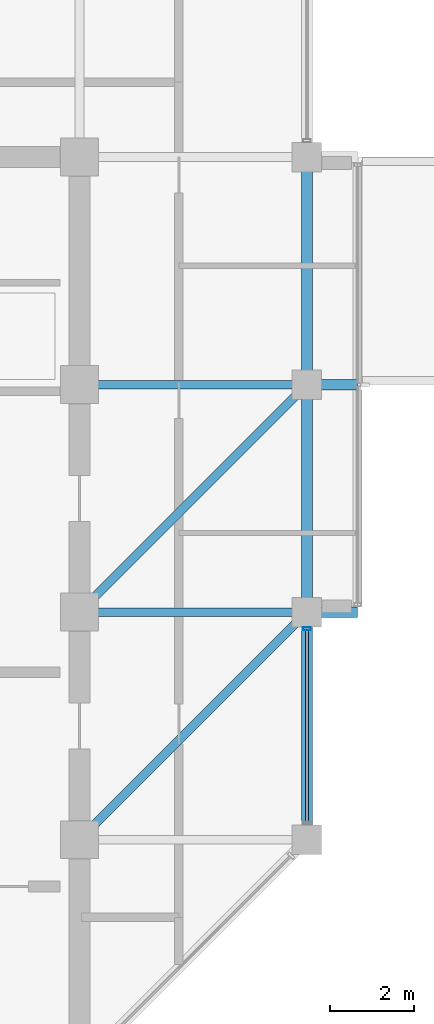
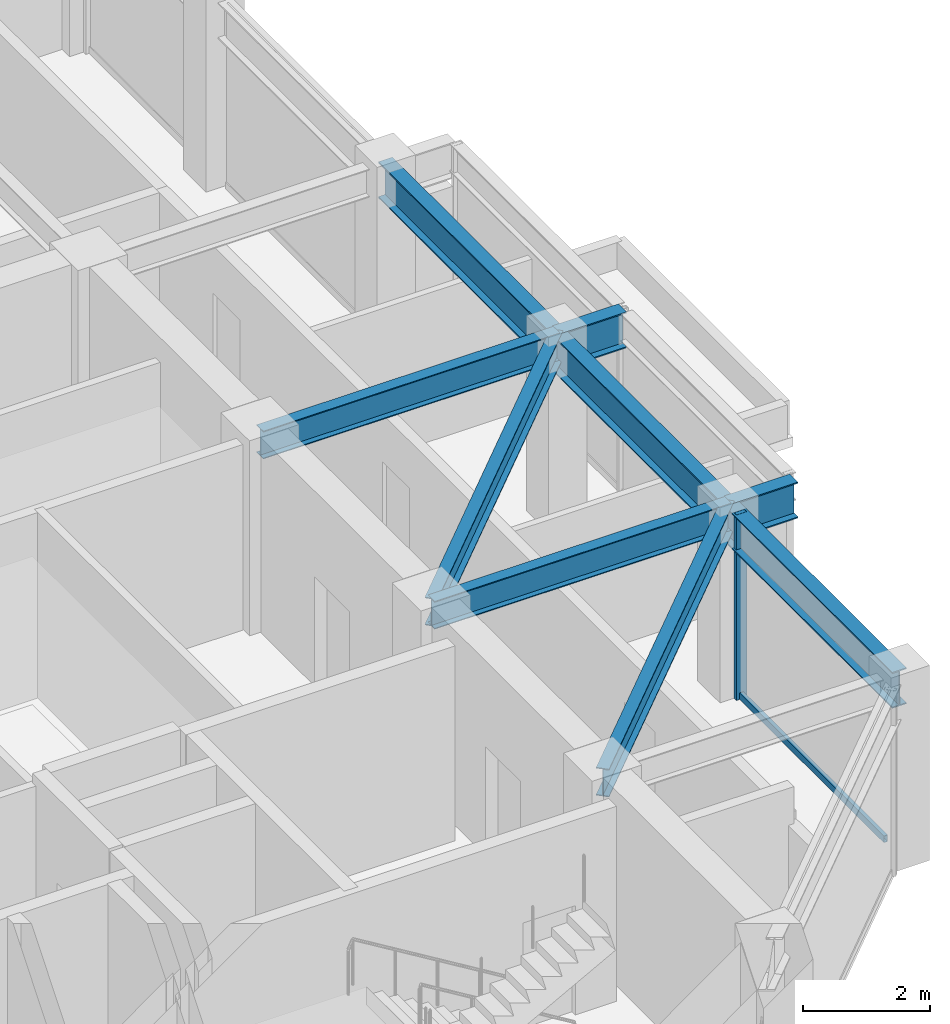
# One storey, part 10 of 31: 9 beams, 2 members, 1 element without a shape of its own.
"""IFC4 building model written with IfcOpenShell, lengths in metres."""

from ifc_helpers import new_model, si_unit, direction, frame, origin, origin_2d, place, context, subcontext, project, spatial, hollow_rectangle, i_section, extrude, material, layer, layer_set, material_profile, profile_set, type_object, element, aggregate, save


model = new_model("IFC4")

# Units and contexts
model_context = context("Model", 3, precision=1e-05, world=origin(), true_north=direction((0.0, 1.0)))
body_context = subcontext(model_context, "Body", "Model", "MODEL_VIEW")
ifc_project = project(units=[si_unit("LENGTHUNIT", "METRE"), si_unit("AREAUNIT", "SQUARE_METRE"), si_unit("VOLUMEUNIT", "CUBIC_METRE"), si_unit("PLANEANGLEUNIT", "RADIAN"), si_unit("MASSUNIT", "GRAM", prefix="KILO")], contexts=[model_context])

# Site, building, storey
site_placement = place(None, origin())
site = spatial("IfcSite", under=ifc_project, at=site_placement, CompositionType="ELEMENT")
building_placement = place(site_placement, origin())
building = spatial("IfcBuilding", under=site, at=building_placement, Name="Surkhivell Harbour Commons", CompositionType="ELEMENT")
storey_placement = place(building_placement, frame((0.0, 0.0, 270.0)))
storey = spatial("IfcBuildingStorey", under=building, at=storey_placement, Name="L70", CompositionType="ELEMENT", Elevation=270.0)

# Beams
ifc_material_1 = material(Name="Steel S460", Category="steel")
ifc_material_profile_1 = material_profile(ifc_material_1, i_section(OverallWidth=0.256103515625, OverallDepth=0.693115234375, WebThickness=0.014404296875, FlangeThickness=0.023681640625, at=origin_2d()), Name="UB686x254x170")
ifc_profile_set_1 = profile_set([ifc_material_profile_1], Name="Steel S460")
beam_type_1 = type_object("IfcBeamType", Name="BM-CNT-686", PredefinedType="BEAM", material=ifc_profile_set_1)
for number, where, z_axis, x_axis, name in (
    (1, (16.199951171875, 0.0, 3.223388671875), (1.0, 0.0, 0.0), (0.0, 1.0, 0.0), "L70 Box Cantilever Outrigger (16.2,0.0)"),
    (2, (16.199951171875, 5.39990234375, 3.223388671875), (1.0, 0.0, 0.0), (0.0, 1.0, 0.0), "L70 Box Cantilever Outrigger (16.2,5.4)"),
):
    element("IfcBeam", number, at=place(storey_placement, frame(where, z_axis=z_axis, x_axis=x_axis)), inside=storey, type_object=beam_type_1, Name=name, PredefinedType="BEAM", context=body_context, shape_type="SweptSolid", body=[
        extrude(i_section(OverallWidth=0.256103515625, OverallDepth=0.693115234375, WebThickness=0.014404296875, FlangeThickness=0.023681640625, at=origin_2d()), origin(), (0.0, 0.0, 1.0), 1.199951171875),
    ])
ifc_material_2 = material(Name="Steel S355", Category="steel")
ifc_material_profile_2 = material_profile(ifc_material_2, i_section(OverallWidth=0.2099609375, OverallDepth=0.537109375, WebThickness=0.0107421875, FlangeThickness=0.017333984375, at=origin_2d()), Name="UB533x210x101")
ifc_profile_set_2 = profile_set([ifc_material_profile_2], Name="Steel S355")
beam_type_2 = type_object("IfcBeamType", Name="BM-GRD-533B", PredefinedType="BEAM", material=ifc_profile_set_2)
beam_1_placement = place(storey_placement, frame((10.800048828125, -5.39990234375, 3.301513671875), z_axis=(0.707106781187, 0.707106781187, 0.0), x_axis=(-0.707106781187, 0.707106781187, 0.0)))
element("IfcBeam", 3, at=beam_1_placement, inside=storey, type_object=beam_type_2, Name="L70 Floor Girder (10.8,-5.4)", PredefinedType="BEAM", context=body_context, shape_type="SweptSolid", body=[
    extrude(i_section(OverallWidth=0.2099609375, OverallDepth=0.537109375, WebThickness=0.0107421875, FlangeThickness=0.017333984375, at=origin_2d()), origin(), (0.0, 0.0, 1.0), 7.63671875),
])
beam_2_placement = place(storey_placement, frame((10.800048828125, 0.0, 3.301513671875), z_axis=(1.0, 0.0, 0.0), x_axis=(0.0, 1.0, 0.0)))
element("IfcBeam", 4, at=beam_2_placement, inside=storey, type_object=beam_type_2, Name="L70 Floor Girder (10.8,0.0)", PredefinedType="BEAM", context=body_context, shape_type="SweptSolid", body=[
    extrude(i_section(OverallWidth=0.2099609375, OverallDepth=0.537109375, WebThickness=0.0107421875, FlangeThickness=0.017333984375, at=origin_2d()), origin(), (0.0, 0.0, 1.0), 5.39990234375),
])
beam_3_placement = place(storey_placement, frame((10.800048828125, 0.0, 3.301513671875), z_axis=(0.707106781187, 0.707106781187, 0.0), x_axis=(-0.707106781187, 0.707106781187, 0.0)))
element("IfcBeam", 5, at=beam_3_placement, inside=storey, type_object=beam_type_2, Name="L70 Floor Girder (10.8,0.0)", PredefinedType="BEAM", context=body_context, shape_type="SweptSolid", body=[
    extrude(i_section(OverallWidth=0.2099609375, OverallDepth=0.537109375, WebThickness=0.0107421875, FlangeThickness=0.017333984375, at=origin_2d()), origin(), (0.0, 0.0, 1.0), 7.63671875),
])
beam_4_placement = place(storey_placement, frame((10.800048828125, 5.39990234375, 3.301513671875), z_axis=(1.0, 0.0, 0.0), x_axis=(0.0, 1.0, 0.0)))
element("IfcBeam", 6, at=beam_4_placement, inside=storey, type_object=beam_type_2, Name="L70 Floor Girder (10.8,5.4)", PredefinedType="BEAM", context=body_context, shape_type="SweptSolid", body=[
    extrude(i_section(OverallWidth=0.2099609375, OverallDepth=0.537109375, WebThickness=0.0107421875, FlangeThickness=0.017333984375, at=origin_2d()), origin(), (0.0, 0.0, 1.0), 5.39990234375),
])
ifc_material_profile_3 = material_profile(ifc_material_2, i_section(OverallWidth=0.256103515625, OverallDepth=0.693115234375, WebThickness=0.014404296875, FlangeThickness=0.023681640625, at=origin_2d()), Name="UB686x254x170")
ifc_profile_set_3 = profile_set([ifc_material_profile_3], Name="Steel S355")
beam_type_3 = type_object("IfcBeamType", Name="BM-SPN-686", PredefinedType="SPANDREL", material=ifc_profile_set_3)
for number, where, z_axis, x_axis, name in (
    (7, (16.199951171875, -5.39990234375, 3.223388671875), (0.0, 1.0, 0.0), (-1.0, 0.0, 0.0), "L70 Tube Spandrel (16.2,-5.4)"),
    (8, (16.199951171875, 0.0, 3.223388671875), (0.0, 1.0, 0.0), (-1.0, 0.0, 0.0), "L70 Tube Spandrel (16.2,0.0)"),
):
    element("IfcBeam", number, at=place(storey_placement, frame(where, z_axis=z_axis, x_axis=x_axis)), inside=storey, type_object=beam_type_3, Name=name, PredefinedType="SPANDREL", context=body_context, shape_type="SweptSolid", body=[
        extrude(i_section(OverallWidth=0.256103515625, OverallDepth=0.693115234375, WebThickness=0.014404296875, FlangeThickness=0.023681640625, at=origin_2d()), origin(), (0.0, 0.0, 1.0), 5.39990234375),
    ])
beam_5_placement = place(storey_placement, frame((16.199951171875, 5.39990234375, 3.223388671875), z_axis=(0.0, 1.0, 0.0), x_axis=(-1.0, 0.0, 0.0)))
element("IfcBeam", 9, at=beam_5_placement, inside=storey, type_object=beam_type_3, Name="L70 Tube Spandrel (16.2,5.4)", PredefinedType="SPANDREL", context=body_context, shape_type="SweptSolid", body=[
    extrude(i_section(OverallWidth=0.256103515625, OverallDepth=0.693115234375, WebThickness=0.014404296875, FlangeThickness=0.023681640625, at=origin_2d()), origin(), (0.0, 0.0, 1.0), 5.400146484375),
])

# Curtain wall, members
ifc_material_3 = material(Name="Anodised pale-metal aluminium and insulated glazing", Category="aluminium")
ifc_layer = layer(ifc_material_3, 0.175048828125)
ifc_layer_set = layer_set([ifc_layer], Name="Anodised pale-metal aluminium and insulated glazing")
curtain_wall_type = type_object("IfcCurtainWallType", Name="CW-SYS-Z4", PredefinedType="NOTDEFINED", material=ifc_layer_set)
curtain_wall_placement = place(storey_placement, origin())
curtain_wall = element("IfcCurtainWall", 10, at=curtain_wall_placement, inside=storey, type_object=curtain_wall_type, Name="L70 Curtain Wall CW-L70-E02R1", PredefinedType="NOTDEFINED")
ifc_material_4 = material(Name="Anodised pale-metal aluminium alloy 6063-T6", Category="aluminium")
ifc_material_profile_4 = material_profile(ifc_material_4, hollow_rectangle(XDim=0.074951171875, YDim=0.18994140625, WallThickness=0.00390625, at=origin_2d()), Name="ALU-MULL-75x190")
ifc_profile_set_4 = profile_set([ifc_material_profile_4], Name="Anodised pale-metal aluminium alloy 6063-T6")
member_type_1 = type_object("IfcMemberType", Name="CWM-190", PredefinedType="MULLION", material=ifc_profile_set_4)
member_1_placement = place(storey_placement, frame((16.199951171875, -0.389404296875, 0.0), z_axis=(0.0, 0.0, 1.0), x_axis=(0.0, 1.0, 0.0)))
member_1 = element("IfcMember", 11, at=member_1_placement, type_object=member_type_1, Name="CW-Z4 mullion 2", PredefinedType="MULLION", context=body_context, shape_type="SweptSolid", body=[
    extrude(hollow_rectangle(XDim=0.074951171875, YDim=0.18994140625, WallThickness=0.00390625, at=origin_2d()), origin(), (0.0, 0.0, 1.0), 3.570068359375),
])
ifc_material_5 = material(Name="Champagne anodised aluminium alloy 6063-T6", Category="aluminium")
ifc_material_profile_5 = material_profile(ifc_material_5, hollow_rectangle(XDim=0.070068359375, YDim=0.1298828125, WallThickness=0.00341796875, at=origin_2d()), Name="ALU-TRAN-70x130")
ifc_profile_set_5 = profile_set([ifc_material_profile_5], Name="Champagne anodised aluminium alloy 6063-T6")
member_type_2 = type_object("IfcMemberType", Name="CWT-130", PredefinedType="USERDEFINED", material=ifc_profile_set_5)
member_2_placement = place(storey_placement, frame((16.199951171875, -4.972900390625, 0.06494140625), z_axis=(0.0, 1.0, 0.0), x_axis=(-1.0, 0.0, 0.0)))
member_2 = element("IfcMember", 12, at=member_2_placement, type_object=member_type_2, Name="CW-Z4 transom 1.1", ObjectType="TRANSOM", PredefinedType="USERDEFINED", context=body_context, shape_type="SweptSolid", body=[
    extrude(hollow_rectangle(XDim=0.070068359375, YDim=0.1298828125, WallThickness=0.00341796875, at=origin_2d()), origin(), (0.0, 0.0, 1.0), 4.5458984375),
])
aggregate(curtain_wall, [member_1, member_2])

save(model, "model.ifc")
